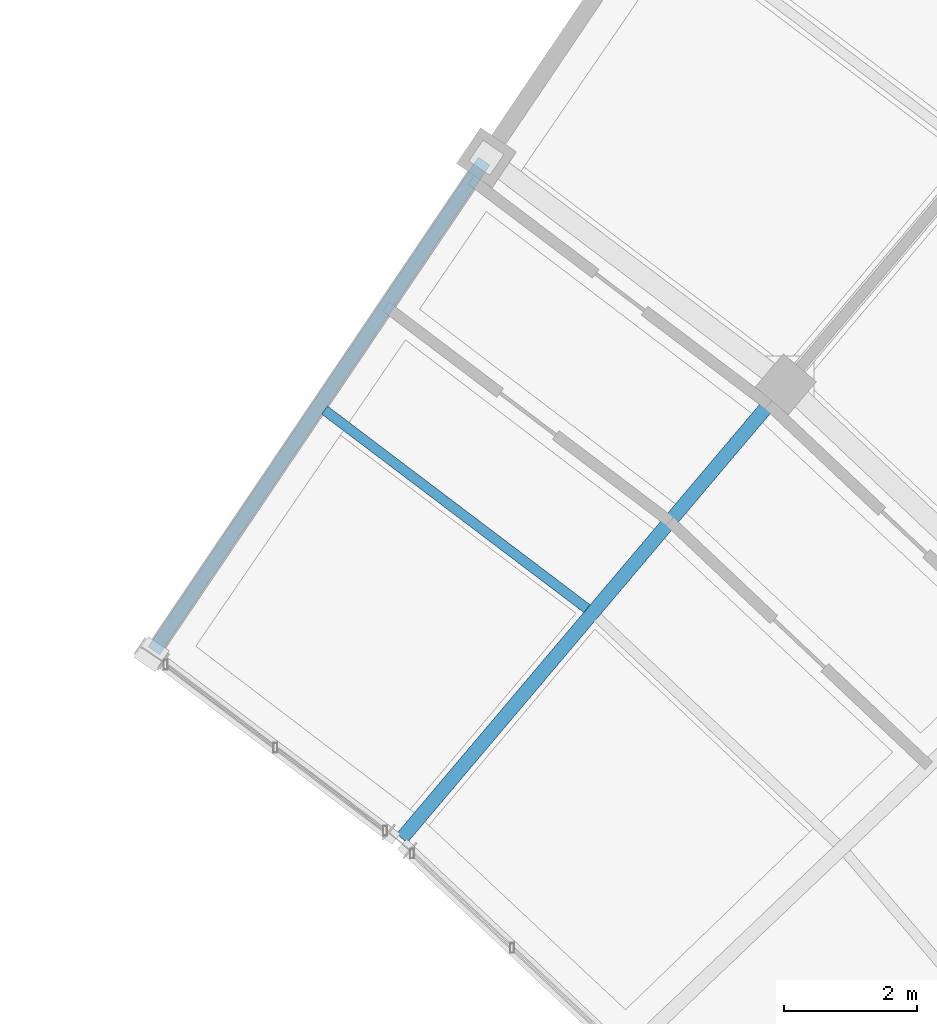
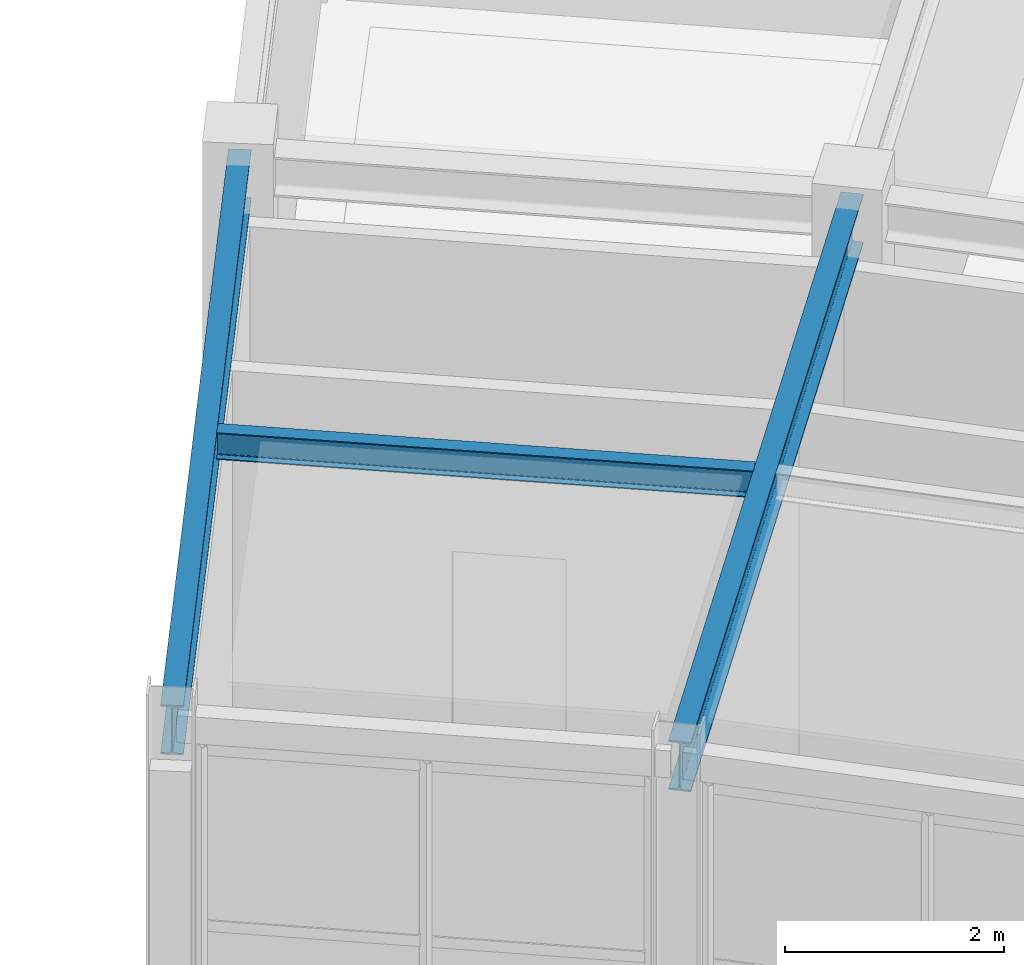
# One storey, part 75 of 108: 3 beams.
"""IFC4 building model written with IfcOpenShell, lengths in metres."""

from ifc_helpers import new_model, si_unit, direction, frame, origin, origin_2d, place, context, subcontext, project, spatial, i_section, extrude, material, material_profile, profile_set, type_object, element, save


model = new_model("IFC4")

# Units and contexts
model_context = context("Model", 3, precision=1e-05, world=origin(), true_north=direction((0.0, 1.0)))
body_context = subcontext(model_context, "Body", "Model", "MODEL_VIEW")
ifc_project = project(units=[si_unit("LENGTHUNIT", "METRE"), si_unit("AREAUNIT", "SQUARE_METRE"), si_unit("VOLUMEUNIT", "CUBIC_METRE"), si_unit("PLANEANGLEUNIT", "RADIAN"), si_unit("MASSUNIT", "GRAM", prefix="KILO")], contexts=[model_context])

# Site, building, storey
site_placement = place(None, origin())
site = spatial("IfcSite", under=ifc_project, at=site_placement, CompositionType="ELEMENT")
building_placement = place(site_placement, origin())
building = spatial("IfcBuilding", under=site, at=building_placement, Name="Tarnveldt Headland Concert Hall", CompositionType="ELEMENT")
storey_placement = place(building_placement, frame((0.0, 0.0, 9.60009765625)))
storey = spatial("IfcBuildingStorey", under=building, at=storey_placement, Name="L02", CompositionType="ELEMENT", Elevation=9.60009765625)

# Beams
ifc_material = material(Name="Steel S355", Category="steel")
ifc_material_profile_1 = material_profile(ifc_material, i_section(OverallWidth=0.14990234375, OverallDepth=0.300048828125, WebThickness=0.007080078125, FlangeThickness=0.0107421875, FilletRadius=0.014892578125, at=origin_2d()), Name="IPE300", Category="steel")
ifc_profile_set_1 = profile_set([ifc_material_profile_1], Name="Steel S355")
beam_type_1 = type_object("IfcBeamType", Name="SB-IPE300", PredefinedType="JOIST", material=ifc_profile_set_1)
beam_placement = place(storey_placement, frame((148.089599609375, 96.331787109375, 4.39990234375), z_axis=(-0.79746351777, 0.603367166679, 0.0), x_axis=(-0.603367166679, -0.79746351777, 0.0)))
element("IfcBeam", 1, at=beam_placement, inside=storey, type_object=beam_type_1, Name="Framing beam L02-1162", PredefinedType="JOIST", context=body_context, shape_type="SweptSolid", body=[
    extrude(i_section(OverallWidth=0.14990234375, OverallDepth=0.300048828125, WebThickness=0.007080078125, FlangeThickness=0.0107421875, FilletRadius=0.014892578125, at=origin_2d()), origin(), (0.0, 0.0, 1.0), 4.94580078125),
])
ifc_material_profile_2 = material_profile(ifc_material, i_section(OverallWidth=0.2099609375, OverallDepth=0.550048828125, WebThickness=0.010986328125, FlangeThickness=0.01708984375, FilletRadius=0.02392578125, at=origin_2d()), Name="IPE550", Category="steel")
ifc_profile_set_2 = profile_set([ifc_material_profile_2], Name="Steel S355")
beam_type_2 = type_object("IfcBeamType", Name="SB-IPE550", PredefinedType="BEAM", material=ifc_profile_set_2)
for number, where, z_axis, x_axis, name in (
    (2, (145.30615234375, 92.87841796875, 4.27490234375), (0.645759819996, 0.763540604604, 0.0), (-0.763540604604, 0.645759819996, 0.0), "Framing beam L02-1157"),
    (3, (141.578857421875, 95.6982421875, 4.27490234375), (0.559177704886, 0.829047823927, 0.0), (-0.829047823927, 0.559177704886, 0.0), "Framing beam L02-1164"),
):
    element("IfcBeam", number, at=place(storey_placement, frame(where, z_axis=z_axis, x_axis=x_axis)), inside=storey, type_object=beam_type_2, Name=name, PredefinedType="BEAM", context=body_context, shape_type="SweptSolid", body=[
        extrude(i_section(OverallWidth=0.2099609375, OverallDepth=0.550048828125, WebThickness=0.010986328125, FlangeThickness=0.01708984375, FilletRadius=0.02392578125, at=origin_2d()), origin(), (0.0, 0.0, 1.0), 8.880126953125),
    ])

save(model, "model.ifc")
